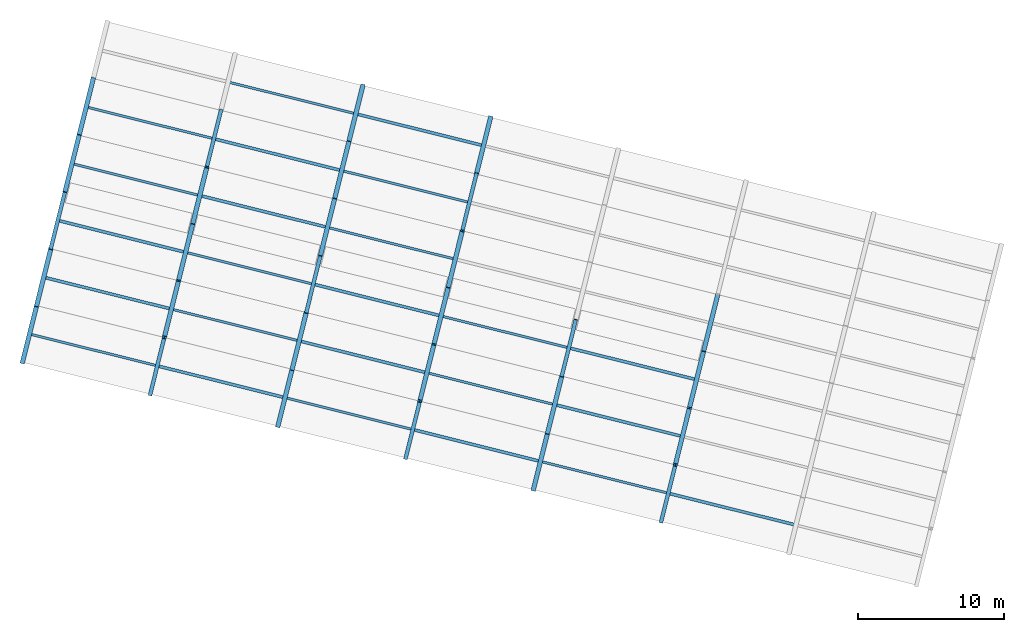
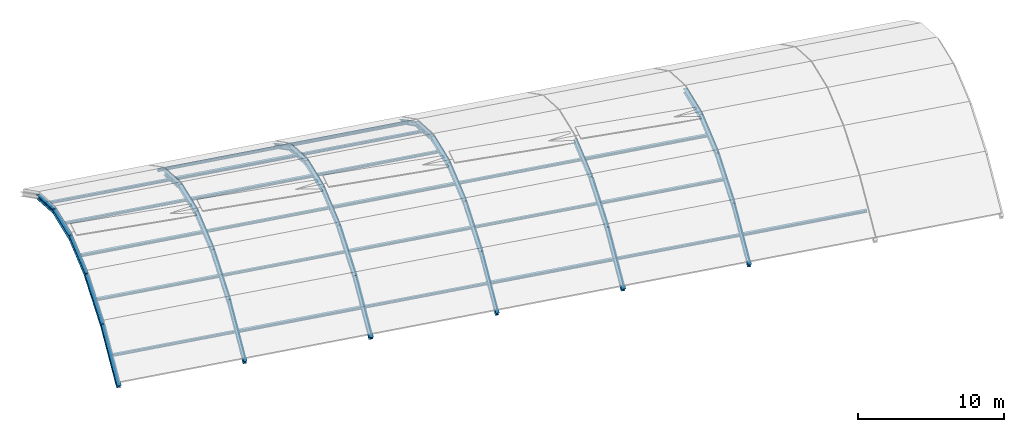
# One storey, part 1 of 3: 53 members.
"""IFC4 building model written with IfcOpenShell, lengths in metres."""

from ifc_helpers import new_model, si_unit, direction, frame, origin, origin_2d, place, context, subcontext, project, spatial, i_section, extrude, material, material_profile, profile_set, type_object, element, save


model = new_model("IFC4")

# Units and contexts
model_context = context("Model", 3, precision=1e-05, world=origin(), true_north=direction((0.0, 1.0)))
body_context = subcontext(model_context, "Body", "Model", "MODEL_VIEW")
ifc_project = project(units=[si_unit("LENGTHUNIT", "METRE"), si_unit("AREAUNIT", "SQUARE_METRE"), si_unit("VOLUMEUNIT", "CUBIC_METRE"), si_unit("PLANEANGLEUNIT", "RADIAN"), si_unit("MASSUNIT", "GRAM", prefix="KILO")], contexts=[model_context])

# Site, building, storey
site_placement = place(None, origin())
site = spatial("IfcSite", under=ifc_project, at=site_placement, CompositionType="ELEMENT")
building_placement = place(site_placement, origin())
building = spatial("IfcBuilding", under=site, at=building_placement, Name="Vireo Bluff Cable Station", CompositionType="ELEMENT")
storey_placement = place(building_placement, frame((0.0, 0.0, 28.800048828125)))
storey = spatial("IfcBuildingStorey", under=building, at=storey_placement, Name="Roof", CompositionType="ELEMENT", Elevation=28.800048828125)

# Members
ifc_material = material(Name="Steel ASTM A992 Gr. 50", Category="steel")
ifc_material_profile_1 = material_profile(ifc_material, i_section(OverallWidth=0.304931640625, OverallDepth=0.306884765625, WebThickness=0.010009765625, FlangeThickness=0.015380859375, FilletRadius=0.012939453125, at=origin_2d()), Name="W12X65")
ifc_profile_set_1 = profile_set([ifc_material_profile_1], Name="Steel ASTM A992 Gr. 50")
member_type_1 = type_object("IfcMemberType", Name="CHD-01", PredefinedType="CHORD", material=ifc_profile_set_1)
member_1_placement = place(storey_placement, frame((56.903076171875, 49.6435546875, -0.550048828125), z_axis=(0.240119626405, 0.962962083996, -0.122664541743), x_axis=(-0.970289525963, 0.24194676234, 0.0)))
element("IfcMember", 1, at=member_1_placement, inside=storey, type_object=member_type_1, Name="V1 shell arch rib 1.4", PredefinedType="CHORD", context=body_context, shape_type="SweptSolid", body=[
    extrude(i_section(OverallWidth=0.304931640625, OverallDepth=0.306884765625, WebThickness=0.010009765625, FlangeThickness=0.015380859375, FilletRadius=0.012939453125, at=origin_2d()), origin(), (0.0, 0.0, 1.0), 4.0302734375),
])
member_2_placement = place(storey_placement, frame((63.700439453125, 39.703857421875, -2.2421875), z_axis=(0.226795179259, 0.909755984023, 0.347718271304), x_axis=(-0.970303853191, 0.241889297993, 0.0)))
element("IfcMember", 2, at=member_2_placement, inside=storey, type_object=member_type_1, Name="V1 shell arch rib 2.2", PredefinedType="CHORD", context=body_context, shape_type="SweptSolid", body=[
    extrude(i_section(OverallWidth=0.304931640625, OverallDepth=0.306884765625, WebThickness=0.010009765625, FlangeThickness=0.015380859375, FilletRadius=0.012939453125, at=origin_2d()), origin(), (0.0, 0.0, 1.0), 4.26611328125),
])
member_3_placement = place(storey_placement, frame((74.368408203125, 45.2890625, 0.021484375), z_axis=(0.240117841796, 0.962954927101, -0.122724204712), x_axis=(-0.970289525963, 0.24194676234, 0.0)))
element("IfcMember", 3, at=member_3_placement, inside=storey, type_object=member_type_1, Name="V1 shell arch rib 3.4", PredefinedType="CHORD", context=body_context, shape_type="SweptSolid", body=[
    extrude(i_section(OverallWidth=0.304931640625, OverallDepth=0.306884765625, WebThickness=0.010009765625, FlangeThickness=0.015380859375, FilletRadius=0.012939453125, at=origin_2d()), origin(), (0.0, 0.0, 1.0), 4.030517578125),
])
member_4_placement = place(storey_placement, frame((81.165771484375, 35.349365234375, -1.670654296875), z_axis=(0.226795179259, 0.909755984023, 0.347718271304), x_axis=(-0.970303853191, 0.241889297993, 0.0)))
element("IfcMember", 4, at=member_4_placement, inside=storey, type_object=member_type_1, Name="V1 shell arch rib 4.2", PredefinedType="CHORD", context=body_context, shape_type="SweptSolid", body=[
    extrude(i_section(OverallWidth=0.304931640625, OverallDepth=0.306884765625, WebThickness=0.010009765625, FlangeThickness=0.015380859375, FilletRadius=0.012939453125, at=origin_2d()), origin(), (0.0, 0.0, 1.0), 4.26611328125),
])
member_5_placement = place(storey_placement, frame((85.036376953125, 50.8740234375, -1.670654296875), z_axis=(0.2058106722, 0.82537140665, -0.525741389176), x_axis=(-0.970289525963, 0.24194676234, 0.0)))
element("IfcMember", 5, at=member_5_placement, inside=storey, type_object=member_type_1, Name="V1 shell arch rib 4.6", PredefinedType="CHORD", context=body_context, shape_type="SweptSolid", body=[
    extrude(i_section(OverallWidth=0.304931640625, OverallDepth=0.306884765625, WebThickness=0.010009765625, FlangeThickness=0.015380859375, FilletRadius=0.012939453125, at=origin_2d()), origin(), (0.0, 0.0, 1.0), 4.7021484375),
])
member_6_placement = place(storey_placement, frame((98.631103515625, 30.99462890625, -1.099365234375), z_axis=(0.226783372024, 0.909765846185, 0.347700168664), x_axis=(-0.97030742417, 0.241874973077, 0.0)))
element("IfcMember", 6, at=member_6_placement, inside=storey, type_object=member_type_1, Name="V1 shell arch rib 6.2", PredefinedType="CHORD", context=body_context, shape_type="SweptSolid", body=[
    extrude(i_section(OverallWidth=0.304931640625, OverallDepth=0.306884765625, WebThickness=0.010009765625, FlangeThickness=0.015380859375, FilletRadius=0.012939453125, at=origin_2d()), origin(), (0.0, 0.0, 1.0), 4.266357421875),
])
ifc_material_profile_2 = material_profile(ifc_material, i_section(OverallWidth=0.306884765625, OverallDepth=0.31494140625, WebThickness=0.011962890625, FlangeThickness=0.018798828125, FilletRadius=0.012939453125, at=origin_2d()), Name="W12X79")
ifc_profile_set_2 = profile_set([ifc_material_profile_2], Name="Steel ASTM A992 Gr. 50")
member_type_2 = type_object("IfcMemberType", Name="CHD-02", PredefinedType="CHORD", material=ifc_profile_set_2)
member_7_placement = place(storey_placement, frame((54.0, 38.0, -5.0), z_axis=(0.2058106722, 0.82537140665, 0.525741389176), x_axis=(-0.970289525963, 0.24194676234, 0.0)))
element("IfcMember", 7, at=member_7_placement, inside=storey, type_object=member_type_2, Name="V1 shell arch rib 1.1", PredefinedType="CHORD", context=body_context, shape_type="SweptSolid", body=[
    extrude(i_section(OverallWidth=0.306884765625, OverallDepth=0.31494140625, WebThickness=0.011962890625, FlangeThickness=0.018798828125, FilletRadius=0.012939453125, at=origin_2d()), origin(), (0.0, 0.0, 1.0), 4.7021484375),
])
member_8_placement = place(storey_placement, frame((57.870849609375, 53.524658203125, -1.04443359375), z_axis=(0.226783372024, 0.909765846185, -0.347700168664), x_axis=(-0.97030742417, 0.241874973077, 0.0)))
element("IfcMember", 8, at=member_8_placement, inside=storey, type_object=member_type_2, Name="V1 shell arch rib 1.5", PredefinedType="CHORD", context=body_context, shape_type="SweptSolid", body=[
    extrude(i_section(OverallWidth=0.306884765625, OverallDepth=0.31494140625, WebThickness=0.011962890625, FlangeThickness=0.018798828125, FilletRadius=0.012939453125, at=origin_2d()), origin(), (0.0, 0.0, 1.0), 4.266357421875),
])
member_9_placement = place(storey_placement, frame((64.66796875, 43.5849609375, -0.7587890625), z_axis=(0.24010562065, 0.962966487663, 0.122657386937), x_axis=(-0.970293098586, 0.241932434444, 0.0)))
element("IfcMember", 9, at=member_9_placement, inside=storey, type_object=member_type_2, Name="V1 shell arch rib 2.3", PredefinedType="CHORD", context=body_context, shape_type="SweptSolid", body=[
    extrude(i_section(OverallWidth=0.306884765625, OverallDepth=0.31494140625, WebThickness=0.011962890625, FlangeThickness=0.018798828125, FilletRadius=0.012939453125, at=origin_2d()), origin(), (0.0, 0.0, 1.0), 4.030517578125),
])
member_10_placement = place(storey_placement, frame((71.46533203125, 33.6455078125, -4.4287109375), z_axis=(0.205805054249, 0.825348876738, 0.525778956704), x_axis=(-0.970289525963, 0.24194676234, 0.0)))
element("IfcMember", 10, at=member_10_placement, inside=storey, type_object=member_type_2, Name="V1 shell arch rib 3.1", PredefinedType="CHORD", context=body_context, shape_type="SweptSolid", body=[
    extrude(i_section(OverallWidth=0.306884765625, OverallDepth=0.31494140625, WebThickness=0.011962890625, FlangeThickness=0.018798828125, FilletRadius=0.012939453125, at=origin_2d()), origin(), (0.0, 0.0, 1.0), 4.702392578125),
])
member_11_placement = place(storey_placement, frame((75.336181640625, 49.170166015625, -0.47314453125), z_axis=(0.226799692082, 0.909774086558, -0.347667960989), x_axis=(-0.970303853191, 0.241889297993, 0.0)))
element("IfcMember", 11, at=member_11_placement, inside=storey, type_object=member_type_2, Name="V1 shell arch rib 3.5", PredefinedType="CHORD", context=body_context, shape_type="SweptSolid", body=[
    extrude(i_section(OverallWidth=0.306884765625, OverallDepth=0.31494140625, WebThickness=0.011962890625, FlangeThickness=0.018798828125, FilletRadius=0.012939453125, at=origin_2d()), origin(), (0.0, 0.0, 1.0), 4.26611328125),
])
member_12_placement = place(storey_placement, frame((82.13330078125, 39.23046875, -0.187255859375), z_axis=(0.240119626405, 0.962962083996, 0.122664541743), x_axis=(-0.970289525963, 0.24194676234, 0.0)))
element("IfcMember", 12, at=member_12_placement, inside=storey, type_object=member_type_2, Name="V1 shell arch rib 4.3", PredefinedType="CHORD", context=body_context, shape_type="SweptSolid", body=[
    extrude(i_section(OverallWidth=0.306884765625, OverallDepth=0.31494140625, WebThickness=0.011962890625, FlangeThickness=0.018798828125, FilletRadius=0.012939453125, at=origin_2d()), origin(), (0.0, 0.0, 1.0), 4.0302734375),
])
member_13_placement = place(storey_placement, frame((88.9306640625, 29.290771484375, -3.857177734375), z_axis=(0.2058106722, 0.82537140665, 0.525741389176), x_axis=(-0.970289525963, 0.24194676234, 0.0)))
element("IfcMember", 13, at=member_13_placement, inside=storey, type_object=member_type_2, Name="V1 shell arch rib 5.1", PredefinedType="CHORD", context=body_context, shape_type="SweptSolid", body=[
    extrude(i_section(OverallWidth=0.306884765625, OverallDepth=0.31494140625, WebThickness=0.011962890625, FlangeThickness=0.018798828125, FilletRadius=0.012939453125, at=origin_2d()), origin(), (0.0, 0.0, 1.0), 4.7021484375),
])
member_14_placement = place(storey_placement, frame((99.5986328125, 34.8759765625, 0.384033203125), z_axis=(0.240119626405, 0.962962083996, 0.122664541743), x_axis=(-0.970289525963, 0.24194676234, 0.0)))
element("IfcMember", 14, at=member_14_placement, inside=storey, type_object=member_type_2, Name="V1 shell arch rib 6.3", PredefinedType="CHORD", context=body_context, shape_type="SweptSolid", body=[
    extrude(i_section(OverallWidth=0.306884765625, OverallDepth=0.31494140625, WebThickness=0.011962890625, FlangeThickness=0.018798828125, FilletRadius=0.012939453125, at=origin_2d()), origin(), (0.0, 0.0, 1.0), 4.0302734375),
])
ifc_material_profile_3 = material_profile(ifc_material, i_section(OverallWidth=0.30908203125, OverallDepth=0.322998046875, WebThickness=0.013916015625, FlangeThickness=0.02294921875, FilletRadius=0.012939453125, at=origin_2d()), Name="W12X96")
ifc_profile_set_3 = profile_set([ifc_material_profile_3], Name="Steel ASTM A992 Gr. 50")
member_type_3 = type_object("IfcMemberType", Name="CHD-03", PredefinedType="CHORD", material=ifc_profile_set_3)
member_15_placement = place(storey_placement, frame((54.9677734375, 41.881103515625, -2.52783203125), z_axis=(0.226783372024, 0.909765846185, 0.347700168664), x_axis=(-0.97030742417, 0.241874973077, 0.0)))
element("IfcMember", 15, at=member_15_placement, inside=storey, type_object=member_type_3, Name="V1 shell arch rib 1.2", PredefinedType="CHORD", context=body_context, shape_type="SweptSolid", body=[
    extrude(i_section(OverallWidth=0.30908203125, OverallDepth=0.322998046875, WebThickness=0.013916015625, FlangeThickness=0.02294921875, FilletRadius=0.012939453125, at=origin_2d()), origin(), (0.0, 0.0, 1.0), 4.266357421875),
])
member_16_placement = place(storey_placement, frame((65.6357421875, 47.46630859375, -0.264404296875), z_axis=(0.240119626405, 0.962962083996, -0.122664541743), x_axis=(-0.970289525963, 0.24194676234, 0.0)))
element("IfcMember", 16, at=member_16_placement, inside=storey, type_object=member_type_3, Name="V1 shell arch rib 2.4", PredefinedType="CHORD", context=body_context, shape_type="SweptSolid", body=[
    extrude(i_section(OverallWidth=0.30908203125, OverallDepth=0.322998046875, WebThickness=0.013916015625, FlangeThickness=0.02294921875, FilletRadius=0.012939453125, at=origin_2d()), origin(), (0.0, 0.0, 1.0), 4.0302734375),
])
member_17_placement = place(storey_placement, frame((72.43310546875, 37.526611328125, -1.956298828125), z_axis=(0.226799692082, 0.909774086558, 0.347667960989), x_axis=(-0.970303853191, 0.241889297993, 0.0)))
element("IfcMember", 17, at=member_17_placement, inside=storey, type_object=member_type_3, Name="V1 shell arch rib 3.2", PredefinedType="CHORD", context=body_context, shape_type="SweptSolid", body=[
    extrude(i_section(OverallWidth=0.30908203125, OverallDepth=0.322998046875, WebThickness=0.013916015625, FlangeThickness=0.02294921875, FilletRadius=0.012939453125, at=origin_2d()), origin(), (0.0, 0.0, 1.0), 4.26611328125),
])
member_18_placement = place(storey_placement, frame((76.3037109375, 53.05126953125, -1.956298828125), z_axis=(0.205796235606, 0.825365427262, -0.525756427342), x_axis=(-0.970293098586, 0.241932434444, 0.0)))
element("IfcMember", 18, at=member_18_placement, inside=storey, type_object=member_type_3, Name="V1 shell arch rib 3.6", PredefinedType="CHORD", context=body_context, shape_type="SweptSolid", body=[
    extrude(i_section(OverallWidth=0.30908203125, OverallDepth=0.322998046875, WebThickness=0.013916015625, FlangeThickness=0.02294921875, FilletRadius=0.012939453125, at=origin_2d()), origin(), (0.0, 0.0, 1.0), 4.70263671875),
])
member_19_placement = place(storey_placement, frame((83.10107421875, 43.111572265625, 0.30712890625), z_axis=(0.24010562065, 0.962966487663, -0.122657386937), x_axis=(-0.970293098586, 0.241932434444, 0.0)))
element("IfcMember", 19, at=member_19_placement, inside=storey, type_object=member_type_3, Name="V1 shell arch rib 4.4", PredefinedType="CHORD", context=body_context, shape_type="SweptSolid", body=[
    extrude(i_section(OverallWidth=0.30908203125, OverallDepth=0.322998046875, WebThickness=0.013916015625, FlangeThickness=0.02294921875, FilletRadius=0.012939453125, at=origin_2d()), origin(), (0.0, 0.0, 1.0), 4.030517578125),
])
member_20_placement = place(storey_placement, frame((89.8984375, 33.171875, -1.385009765625), z_axis=(0.226783372024, 0.909765846185, 0.347700168664), x_axis=(-0.97030742417, 0.241874973077, 0.0)))
element("IfcMember", 20, at=member_20_placement, inside=storey, type_object=member_type_3, Name="V1 shell arch rib 5.2", PredefinedType="CHORD", context=body_context, shape_type="SweptSolid", body=[
    extrude(i_section(OverallWidth=0.30908203125, OverallDepth=0.322998046875, WebThickness=0.013916015625, FlangeThickness=0.02294921875, FilletRadius=0.012939453125, at=origin_2d()), origin(), (0.0, 0.0, 1.0), 4.266357421875),
])
member_21_placement = place(storey_placement, frame((100.56640625, 38.757080078125, 0.87841796875), z_axis=(0.240119626405, 0.962962083996, -0.122664541743), x_axis=(-0.970289525963, 0.24194676234, 0.0)))
element("IfcMember", 21, at=member_21_placement, inside=storey, type_object=member_type_3, Name="V1 shell arch rib 6.4", PredefinedType="CHORD", context=body_context, shape_type="SweptSolid", body=[
    extrude(i_section(OverallWidth=0.30908203125, OverallDepth=0.322998046875, WebThickness=0.013916015625, FlangeThickness=0.02294921875, FilletRadius=0.012939453125, at=origin_2d()), origin(), (0.0, 0.0, 1.0), 4.0302734375),
])
ifc_material_profile_4 = material_profile(ifc_material, i_section(OverallWidth=0.257080078125, OverallDepth=0.363037109375, WebThickness=0.012939453125, FlangeThickness=0.021728515625, FilletRadius=0.014892578125, at=origin_2d()), Name="W14X82")
ifc_profile_set_4 = profile_set([ifc_material_profile_4], Name="Steel ASTM A992 Gr. 50")
member_type_4 = type_object("IfcMemberType", Name="CHD-04", PredefinedType="CHORD", material=ifc_profile_set_4)
member_22_placement = place(storey_placement, frame((55.935302734375, 45.762451171875, -1.04443359375), z_axis=(0.240119626405, 0.962962083996, 0.122664541743), x_axis=(-0.970289525963, 0.24194676234, 0.0)))
element("IfcMember", 22, at=member_22_placement, inside=storey, type_object=member_type_4, Name="V1 shell arch rib 1.3", PredefinedType="CHORD", context=body_context, shape_type="SweptSolid", body=[
    extrude(i_section(OverallWidth=0.257080078125, OverallDepth=0.363037109375, WebThickness=0.012939453125, FlangeThickness=0.021728515625, FilletRadius=0.014892578125, at=origin_2d()), origin(), (0.0, 0.0, 1.0), 4.0302734375),
])
member_23_placement = place(storey_placement, frame((62.732666015625, 35.82275390625, -4.71435546875), z_axis=(0.2058106722, 0.82537140665, 0.525741389176), x_axis=(-0.970289525963, 0.24194676234, 0.0)))
element("IfcMember", 23, at=member_23_placement, inside=storey, type_object=member_type_4, Name="V1 shell arch rib 2.1", PredefinedType="CHORD", context=body_context, shape_type="SweptSolid", body=[
    extrude(i_section(OverallWidth=0.257080078125, OverallDepth=0.363037109375, WebThickness=0.012939453125, FlangeThickness=0.021728515625, FilletRadius=0.014892578125, at=origin_2d()), origin(), (0.0, 0.0, 1.0), 4.7021484375),
])
member_24_placement = place(storey_placement, frame((66.603515625, 51.347412109375, -0.7587890625), z_axis=(0.226795179259, 0.909755984023, -0.347718271304), x_axis=(-0.970303853191, 0.241889297993, 0.0)))
element("IfcMember", 24, at=member_24_placement, inside=storey, type_object=member_type_4, Name="V1 shell arch rib 2.5", PredefinedType="CHORD", context=body_context, shape_type="SweptSolid", body=[
    extrude(i_section(OverallWidth=0.257080078125, OverallDepth=0.363037109375, WebThickness=0.012939453125, FlangeThickness=0.021728515625, FilletRadius=0.014892578125, at=origin_2d()), origin(), (0.0, 0.0, 1.0), 4.26611328125),
])
member_25_placement = place(storey_placement, frame((73.400634765625, 41.40771484375, -0.47314453125), z_axis=(0.240103836353, 0.962959331571, 0.122717046532), x_axis=(-0.970293098586, 0.241932434444, 0.0)))
element("IfcMember", 25, at=member_25_placement, inside=storey, type_object=member_type_4, Name="V1 shell arch rib 3.3", PredefinedType="CHORD", context=body_context, shape_type="SweptSolid", body=[
    extrude(i_section(OverallWidth=0.257080078125, OverallDepth=0.363037109375, WebThickness=0.012939453125, FlangeThickness=0.021728515625, FilletRadius=0.014892578125, at=origin_2d()), origin(), (0.0, 0.0, 1.0), 4.03076171875),
])
member_26_placement = place(storey_placement, frame((80.197998046875, 31.468017578125, -4.142822265625), z_axis=(0.205801852835, 0.825387955695, 0.525718860194), x_axis=(-0.970293098586, 0.241932434444, 0.0)))
element("IfcMember", 26, at=member_26_placement, inside=storey, type_object=member_type_4, Name="V1 shell arch rib 4.1", PredefinedType="CHORD", context=body_context, shape_type="SweptSolid", body=[
    extrude(i_section(OverallWidth=0.257080078125, OverallDepth=0.363037109375, WebThickness=0.012939453125, FlangeThickness=0.021728515625, FilletRadius=0.014892578125, at=origin_2d()), origin(), (0.0, 0.0, 1.0), 4.702392578125),
])
member_27_placement = place(storey_placement, frame((84.06884765625, 46.992919921875, -0.187255859375), z_axis=(0.226795179259, 0.909755984023, -0.347718271304), x_axis=(-0.970303853191, 0.241889297993, 0.0)))
element("IfcMember", 27, at=member_27_placement, inside=storey, type_object=member_type_4, Name="V1 shell arch rib 4.5", PredefinedType="CHORD", context=body_context, shape_type="SweptSolid", body=[
    extrude(i_section(OverallWidth=0.257080078125, OverallDepth=0.363037109375, WebThickness=0.012939453125, FlangeThickness=0.021728515625, FilletRadius=0.014892578125, at=origin_2d()), origin(), (0.0, 0.0, 1.0), 4.26611328125),
])
member_28_placement = place(storey_placement, frame((90.865966796875, 37.05322265625, 0.098388671875), z_axis=(0.240119626405, 0.962962083996, 0.122664541743), x_axis=(-0.970289525963, 0.24194676234, 0.0)))
element("IfcMember", 28, at=member_28_placement, inside=storey, type_object=member_type_4, Name="V1 shell arch rib 5.3", PredefinedType="CHORD", context=body_context, shape_type="SweptSolid", body=[
    extrude(i_section(OverallWidth=0.257080078125, OverallDepth=0.363037109375, WebThickness=0.012939453125, FlangeThickness=0.021728515625, FilletRadius=0.014892578125, at=origin_2d()), origin(), (0.0, 0.0, 1.0), 4.0302734375),
])
member_29_placement = place(storey_placement, frame((97.663330078125, 27.113525390625, -3.571533203125), z_axis=(0.2058106722, 0.82537140665, 0.525741389176), x_axis=(-0.970289525963, 0.24194676234, 0.0)))
element("IfcMember", 29, at=member_29_placement, inside=storey, type_object=member_type_4, Name="V1 shell arch rib 6.1", PredefinedType="CHORD", context=body_context, shape_type="SweptSolid", body=[
    extrude(i_section(OverallWidth=0.257080078125, OverallDepth=0.363037109375, WebThickness=0.012939453125, FlangeThickness=0.021728515625, FilletRadius=0.014892578125, at=origin_2d()), origin(), (0.0, 0.0, 1.0), 4.7021484375),
])
ifc_material_profile_5 = material_profile(ifc_material, i_section(OverallWidth=0.1650390625, OverallDepth=0.200927734375, WebThickness=0.006103515625, FlangeThickness=0.01025390625, FilletRadius=0.008056640625, at=origin_2d()), Name="W8X24")
ifc_profile_set_5 = profile_set([ifc_material_profile_5], Name="Steel ASTM A992 Gr. 50")
member_type_5 = type_object("IfcMemberType", Name="PUR-01", PredefinedType="PURLIN", material=ifc_profile_set_5)
for number, where, z_axis, x_axis, name in (
    (30, (57.435302734375, 51.572021484375, -0.755615234375), (0.9698088887, -0.241794204157, 0.031721951946), (0.241915952656, 0.970297207999, 0.0), "V1 shell purlin 1.4"),
    (31, (64.232666015625, 41.63232421875, -1.458740234375), (0.9698088887, -0.241794204157, 0.031721951946), (0.241915952656, 0.970297207999, 0.0), "V1 shell purlin 2.2"),
):
    element("IfcMember", number, at=place(storey_placement, frame(where, z_axis=z_axis, x_axis=x_axis)), inside=storey, type_object=member_type_5, Name=name, PredefinedType="PURLIN", context=body_context, shape_type="SweptSolid", body=[
        extrude(i_section(OverallWidth=0.1650390625, OverallDepth=0.200927734375, WebThickness=0.006103515625, FlangeThickness=0.01025390625, FilletRadius=0.008056640625, at=origin_2d()), origin(), (0.0, 0.0, 1.0), 8.904541015625),
    ])
member_30_placement = place(storey_placement, frame((68.103515625, 57.1572265625, -3.4365234375), z_axis=(0.969800828245, -0.241826448365, 0.03172258512), x_axis=(0.241948217964, 0.970289162994, 0.0)))
element("IfcMember", 32, at=member_30_placement, inside=storey, type_object=member_type_5, Name="V1 shell purlin 2.6", PredefinedType="PURLIN", context=body_context, shape_type="SweptSolid", body=[
    extrude(i_section(OverallWidth=0.1650390625, OverallDepth=0.200927734375, WebThickness=0.006103515625, FlangeThickness=0.01025390625, FilletRadius=0.008056640625, at=origin_2d()), origin(), (0.0, 0.0, 1.0), 8.904296875),
])
for number, where, z_axis, x_axis, name in (
    (33, (74.900634765625, 47.217529296875, -0.184326171875), (0.96980804486, -0.24179399377, 0.031749341738), (0.241915952656, 0.970297207999, 0.0), "V1 shell purlin 3.4"),
    (34, (81.697998046875, 37.27783203125, -0.887451171875), (0.9698088887, -0.241794204157, 0.031721951946), (0.241915952656, 0.970297207999, 0.0), "V1 shell purlin 4.2"),
):
    element("IfcMember", number, at=place(storey_placement, frame(where, z_axis=z_axis, x_axis=x_axis)), inside=storey, type_object=member_type_5, Name=name, PredefinedType="PURLIN", context=body_context, shape_type="SweptSolid", body=[
        extrude(i_section(OverallWidth=0.1650390625, OverallDepth=0.200927734375, WebThickness=0.006103515625, FlangeThickness=0.01025390625, FilletRadius=0.008056640625, at=origin_2d()), origin(), (0.0, 0.0, 1.0), 8.904541015625),
    ])
ifc_material_profile_6 = material_profile(ifc_material, i_section(OverallWidth=0.166015625, OverallDepth=0.205078125, WebThickness=0.007080078125, FlangeThickness=0.01171875, FilletRadius=0.008056640625, at=origin_2d()), Name="W8X28")
ifc_profile_set_6 = profile_set([ifc_material_profile_6], Name="Steel ASTM A992 Gr. 50")
member_type_6 = type_object("IfcMemberType", Name="PUR-02", PredefinedType="PURLIN", material=ifc_profile_set_6)
member_31_placement = place(storey_placement, frame((54.532470703125, 39.928466796875, -3.722412109375), z_axis=(0.969806414218, -0.241800423143, 0.031750185962), x_axis=(0.241922391763, 0.970295602568, 0.0)))
element("IfcMember", 35, at=member_31_placement, inside=storey, type_object=member_type_6, Name="V1 shell purlin 1.1", PredefinedType="PURLIN", context=body_context, shape_type="SweptSolid", body=[
    extrude(i_section(OverallWidth=0.166015625, OverallDepth=0.205078125, WebThickness=0.007080078125, FlangeThickness=0.01171875, FilletRadius=0.008056640625, at=origin_2d()), origin(), (0.0, 0.0, 1.0), 8.904296875),
])
member_32_placement = place(storey_placement, frame((58.403076171875, 55.453125, -1.74462890625), z_axis=(0.96980804486, -0.24179399377, 0.031749341738), x_axis=(0.241915952656, 0.970297207999, 0.0)))
element("IfcMember", 36, at=member_32_placement, inside=storey, type_object=member_type_6, Name="V1 shell purlin 1.5", PredefinedType="PURLIN", context=body_context, shape_type="SweptSolid", body=[
    extrude(i_section(OverallWidth=0.166015625, OverallDepth=0.205078125, WebThickness=0.007080078125, FlangeThickness=0.01171875, FilletRadius=0.008056640625, at=origin_2d()), origin(), (0.0, 0.0, 1.0), 8.904541015625),
])
for number, where, z_axis, x_axis, name in (
    (37, (65.200439453125, 45.513671875, -0.469970703125), (0.969800828245, -0.241826448365, 0.03172258512), (0.241948217964, 0.970289162994, 0.0), "V1 shell purlin 2.3"),
    (38, (71.997802734375, 35.573974609375, -3.15087890625), (0.969807258101, -0.241800633547, 0.031722795443), (0.241922391763, 0.970295602568, 0.0), "V1 shell purlin 3.1"),
):
    element("IfcMember", number, at=place(storey_placement, frame(where, z_axis=z_axis, x_axis=x_axis)), inside=storey, type_object=member_type_6, Name=name, PredefinedType="PURLIN", context=body_context, shape_type="SweptSolid", body=[
        extrude(i_section(OverallWidth=0.166015625, OverallDepth=0.205078125, WebThickness=0.007080078125, FlangeThickness=0.01171875, FilletRadius=0.008056640625, at=origin_2d()), origin(), (0.0, 0.0, 1.0), 8.904296875),
    ])
member_33_placement = place(storey_placement, frame((75.868408203125, 51.0986328125, -1.173095703125), z_axis=(0.9698088887, -0.241794204157, 0.031721951946), x_axis=(0.241915952656, 0.970297207999, 0.0)))
element("IfcMember", 39, at=member_33_placement, inside=storey, type_object=member_type_6, Name="V1 shell purlin 3.5", PredefinedType="PURLIN", context=body_context, shape_type="SweptSolid", body=[
    extrude(i_section(OverallWidth=0.166015625, OverallDepth=0.205078125, WebThickness=0.007080078125, FlangeThickness=0.01171875, FilletRadius=0.008056640625, at=origin_2d()), origin(), (0.0, 0.0, 1.0), 8.904541015625),
])
member_34_placement = place(storey_placement, frame((82.665771484375, 41.158935546875, 0.1015625), z_axis=(0.969807258101, -0.241800633547, 0.031722795443), x_axis=(0.241922391763, 0.970295602568, 0.0)))
element("IfcMember", 40, at=member_34_placement, inside=storey, type_object=member_type_6, Name="V1 shell purlin 4.3", PredefinedType="PURLIN", context=body_context, shape_type="SweptSolid", body=[
    extrude(i_section(OverallWidth=0.166015625, OverallDepth=0.205078125, WebThickness=0.007080078125, FlangeThickness=0.01171875, FilletRadius=0.008056640625, at=origin_2d()), origin(), (0.0, 0.0, 1.0), 8.904296875),
])
member_35_placement = place(storey_placement, frame((89.462890625, 31.21923828125, -2.57958984375), z_axis=(0.96980804486, -0.24179399377, 0.031749341738), x_axis=(0.241915952656, 0.970297207999, 0.0)))
element("IfcMember", 41, at=member_35_placement, inside=storey, type_object=member_type_6, Name="V1 shell purlin 5.1", PredefinedType="PURLIN", context=body_context, shape_type="SweptSolid", body=[
    extrude(i_section(OverallWidth=0.166015625, OverallDepth=0.205078125, WebThickness=0.007080078125, FlangeThickness=0.01171875, FilletRadius=0.008056640625, at=origin_2d()), origin(), (0.0, 0.0, 1.0), 8.904541015625),
])
ifc_material_profile_7 = material_profile(ifc_material, i_section(OverallWidth=0.2041015625, OverallDepth=0.2060546875, WebThickness=0.0078125, FlangeThickness=0.0126953125, FilletRadius=0.008056640625, at=origin_2d()), Name="W8X35")
ifc_profile_set_7 = profile_set([ifc_material_profile_7], Name="Steel ASTM A992 Gr. 50")
member_type_7 = type_object("IfcMemberType", Name="PUR-03", PredefinedType="PURLIN", material=ifc_profile_set_7)
for number, where, z_axis, x_axis, name in (
    (42, (55.5, 43.8095703125, -1.74462890625), (0.96980804486, -0.24179399377, 0.031749341738), (0.241915952656, 0.970297207999, 0.0), "V1 shell purlin 1.2"),
    (43, (66.16796875, 49.394775390625, -0.469970703125), (0.9698088887, -0.241794204157, 0.031721951946), (0.241915952656, 0.970297207999, 0.0), "V1 shell purlin 2.4"),
    (44, (72.96533203125, 39.455078125, -1.173095703125), (0.9698088887, -0.241794204157, 0.031721951946), (0.241915952656, 0.970297207999, 0.0), "V1 shell purlin 3.2"),
):
    element("IfcMember", number, at=place(storey_placement, frame(where, z_axis=z_axis, x_axis=x_axis)), inside=storey, type_object=member_type_7, Name=name, PredefinedType="PURLIN", context=body_context, shape_type="SweptSolid", body=[
        extrude(i_section(OverallWidth=0.2041015625, OverallDepth=0.2060546875, WebThickness=0.0078125, FlangeThickness=0.0126953125, FilletRadius=0.008056640625, at=origin_2d()), origin(), (0.0, 0.0, 1.0), 8.904541015625),
    ])
member_36_placement = place(storey_placement, frame((76.836181640625, 54.979736328125, -3.15087890625), z_axis=(0.969807258101, -0.241800633547, 0.031722795443), x_axis=(0.241922391763, 0.970295602568, 0.0)))
element("IfcMember", 45, at=member_36_placement, inside=storey, type_object=member_type_7, Name="V1 shell purlin 3.6", PredefinedType="PURLIN", context=body_context, shape_type="SweptSolid", body=[
    extrude(i_section(OverallWidth=0.2041015625, OverallDepth=0.2060546875, WebThickness=0.0078125, FlangeThickness=0.0126953125, FilletRadius=0.008056640625, at=origin_2d()), origin(), (0.0, 0.0, 1.0), 8.904296875),
])
member_37_placement = place(storey_placement, frame((90.4306640625, 35.1005859375, -0.601806640625), z_axis=(0.969801615352, -0.241819807967, 0.03174913125), x_axis=(0.241941778255, 0.970290768757, 0.0)))
element("IfcMember", 46, at=member_37_placement, inside=storey, type_object=member_type_7, Name="V1 shell purlin 5.2", PredefinedType="PURLIN", context=body_context, shape_type="SweptSolid", body=[
    extrude(i_section(OverallWidth=0.2041015625, OverallDepth=0.2060546875, WebThickness=0.0078125, FlangeThickness=0.0126953125, FilletRadius=0.008056640625, at=origin_2d()), origin(), (0.0, 0.0, 1.0), 8.904541015625),
])
ifc_material_profile_8 = material_profile(ifc_material, i_section(OverallWidth=0.2060546875, OverallDepth=0.216064453125, WebThickness=0.01025390625, FlangeThickness=0.017333984375, FilletRadius=0.008056640625, at=origin_2d()), Name="W8X48")
ifc_profile_set_8 = profile_set([ifc_material_profile_8], Name="Steel ASTM A992 Gr. 50")
member_type_8 = type_object("IfcMemberType", Name="PUR-04", PredefinedType="PURLIN", material=ifc_profile_set_8)
for number, where, z_axis, x_axis, name in (
    (47, (56.4677734375, 47.69091796875, -0.755615234375), (0.969807258101, -0.241800633547, 0.031722795443), (0.241922391763, 0.970295602568, 0.0), "V1 shell purlin 1.3"),
    (48, (63.26513671875, 37.751220703125, -3.4365234375), (0.969807258101, -0.241800633547, 0.031722795443), (0.241922391763, 0.970295602568, 0.0), "V1 shell purlin 2.1"),
):
    element("IfcMember", number, at=place(storey_placement, frame(where, z_axis=z_axis, x_axis=x_axis)), inside=storey, type_object=member_type_8, Name=name, PredefinedType="PURLIN", context=body_context, shape_type="SweptSolid", body=[
        extrude(i_section(OverallWidth=0.2060546875, OverallDepth=0.216064453125, WebThickness=0.01025390625, FlangeThickness=0.017333984375, FilletRadius=0.008056640625, at=origin_2d()), origin(), (0.0, 0.0, 1.0), 8.904296875),
    ])
member_38_placement = place(storey_placement, frame((67.1357421875, 53.27587890625, -1.458740234375), z_axis=(0.9698088887, -0.241794204157, 0.031721951946), x_axis=(0.241915952656, 0.970297207999, 0.0)))
element("IfcMember", 49, at=member_38_placement, inside=storey, type_object=member_type_8, Name="V1 shell purlin 2.5", PredefinedType="PURLIN", context=body_context, shape_type="SweptSolid", body=[
    extrude(i_section(OverallWidth=0.2060546875, OverallDepth=0.216064453125, WebThickness=0.01025390625, FlangeThickness=0.017333984375, FilletRadius=0.008056640625, at=origin_2d()), origin(), (0.0, 0.0, 1.0), 8.904541015625),
])
member_39_placement = place(storey_placement, frame((73.93310546875, 43.336181640625, -0.184326171875), z_axis=(0.969806414218, -0.241800423143, 0.031750185962), x_axis=(0.241922391763, 0.970295602568, 0.0)))
element("IfcMember", 50, at=member_39_placement, inside=storey, type_object=member_type_8, Name="V1 shell purlin 3.3", PredefinedType="PURLIN", context=body_context, shape_type="SweptSolid", body=[
    extrude(i_section(OverallWidth=0.2060546875, OverallDepth=0.216064453125, WebThickness=0.01025390625, FlangeThickness=0.017333984375, FilletRadius=0.008056640625, at=origin_2d()), origin(), (0.0, 0.0, 1.0), 8.904296875),
])
member_40_placement = place(storey_placement, frame((80.730224609375, 33.396484375, -2.865234375), z_axis=(0.9698088887, -0.241794204157, 0.031721951946), x_axis=(0.241915952656, 0.970297207999, 0.0)))
element("IfcMember", 51, at=member_40_placement, inside=storey, type_object=member_type_8, Name="V1 shell purlin 4.1", PredefinedType="PURLIN", context=body_context, shape_type="SweptSolid", body=[
    extrude(i_section(OverallWidth=0.2060546875, OverallDepth=0.216064453125, WebThickness=0.01025390625, FlangeThickness=0.017333984375, FilletRadius=0.008056640625, at=origin_2d()), origin(), (0.0, 0.0, 1.0), 8.904541015625),
])
member_41_placement = place(storey_placement, frame((91.3984375, 38.981689453125, 0.38720703125), z_axis=(0.969807258101, -0.241800633547, 0.031722795443), x_axis=(0.241922391763, 0.970295602568, 0.0)))
element("IfcMember", 52, at=member_41_placement, inside=storey, type_object=member_type_8, Name="V1 shell purlin 5.3", PredefinedType="PURLIN", context=body_context, shape_type="SweptSolid", body=[
    extrude(i_section(OverallWidth=0.2060546875, OverallDepth=0.216064453125, WebThickness=0.01025390625, FlangeThickness=0.017333984375, FilletRadius=0.008056640625, at=origin_2d()), origin(), (0.0, 0.0, 1.0), 8.904296875),
])
member_42_placement = place(storey_placement, frame((98.195556640625, 29.0419921875, -2.293701171875), z_axis=(0.9698088887, -0.241794204157, 0.031721951946), x_axis=(0.241915952656, 0.970297207999, 0.0)))
element("IfcMember", 53, at=member_42_placement, inside=storey, type_object=member_type_8, Name="V1 shell purlin 6.1", PredefinedType="PURLIN", context=body_context, shape_type="SweptSolid", body=[
    extrude(i_section(OverallWidth=0.2060546875, OverallDepth=0.216064453125, WebThickness=0.01025390625, FlangeThickness=0.017333984375, FilletRadius=0.008056640625, at=origin_2d()), origin(), (0.0, 0.0, 1.0), 8.904541015625),
])

save(model, "model.ifc")
